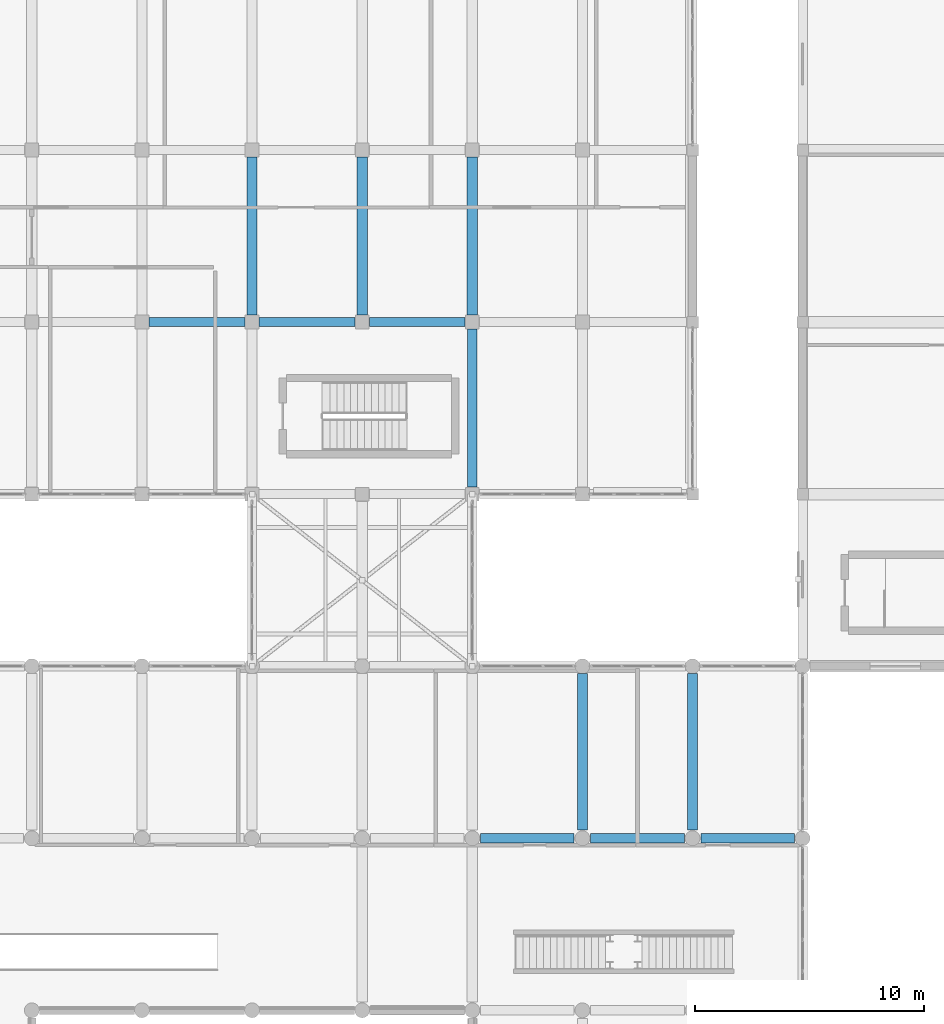
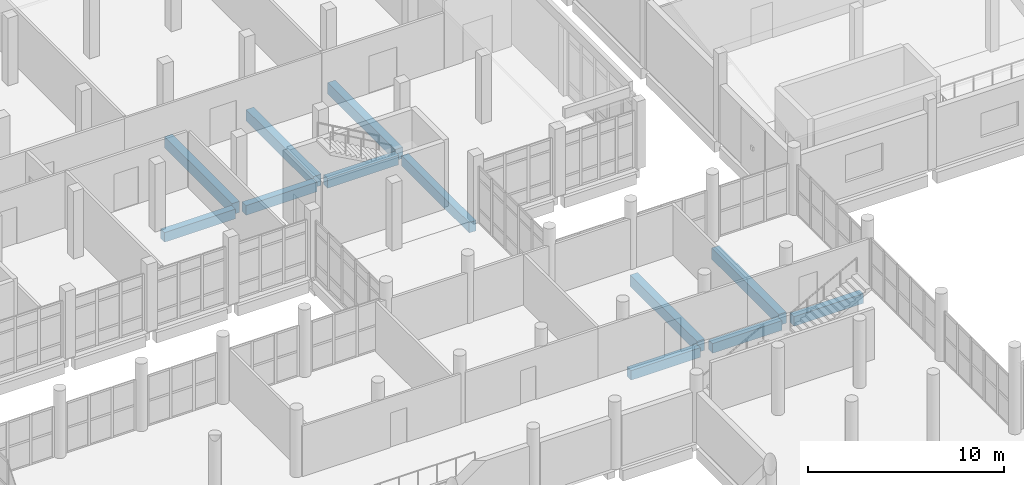
# One storey, part 92 of 164: 12 beams.
"""IFC4 building model written with IfcOpenShell, lengths in metres."""

from ifc_helpers import new_model, si_unit, direction, frame, origin, origin_2d, place, context, subcontext, project, spatial, rectangle, extrude, material, material_profile, profile_set, type_object, element, save


model = new_model("IFC4")

# Units and contexts
model_context = context("Model", 3, precision=1e-05, world=origin(), true_north=direction((0.0, 1.0)))
body_context = subcontext(model_context, "Body", "Model", "MODEL_VIEW")
ifc_project = project(units=[si_unit("LENGTHUNIT", "METRE"), si_unit("AREAUNIT", "SQUARE_METRE"), si_unit("VOLUMEUNIT", "CUBIC_METRE"), si_unit("PLANEANGLEUNIT", "RADIAN"), si_unit("MASSUNIT", "GRAM", prefix="KILO")], contexts=[model_context])

# Site, building, storey
site_placement = place(None, origin())
site = spatial("IfcSite", under=ifc_project, at=site_placement, CompositionType="ELEMENT")
building_placement = place(site_placement, origin())
building = spatial("IfcBuilding", under=site, at=building_placement, Name="Mawjan Specialist Oncology Clinic", CompositionType="ELEMENT")
storey_placement = place(building_placement, frame((0.0, 0.0, 5.0)))
storey = spatial("IfcBuildingStorey", under=building, at=storey_placement, Name="L01", CompositionType="ELEMENT", Elevation=5.0)

# Beams
ifc_material_1 = material(Name="Concrete C40/50", Category="concrete")
ifc_material_profile_1 = material_profile(ifc_material_1, rectangle(XDim=0.39990234375, YDim=0.60009765625, at=origin_2d()), Name="RC BM 400x600", Category="concrete")
ifc_profile_set_1 = profile_set([ifc_material_profile_1], Name="Concrete C40/50")
beam_type_1 = type_object("IfcBeamType", Name="BM-400x600", PredefinedType="BEAM", material=ifc_profile_set_1)
for number, where, z_axis, x_axis, name in (
    (1, (93.9599609375, 68.300048828125, -0.60009765625), (1.0, 0.0, 0.0), (0.0, 1.0, 0.0), "L01 Collector Beam BM-L01-0316"),
    (2, (98.760009765625, 68.300048828125, -0.60009765625), (1.0, 0.0, 0.0), (0.0, 1.0, 0.0), "L01 Collector Beam BM-L01-0317"),
):
    element("IfcBeam", number, at=place(storey_placement, frame(where, z_axis=z_axis, x_axis=x_axis)), inside=storey, type_object=beam_type_1, Name=name, PredefinedType="BEAM", context=body_context, shape_type="SweptSolid", body=[
        extrude(rectangle(XDim=0.39990234375, YDim=0.60009765625, at=origin_2d()), origin(), (0.0, 0.0, 1.0), 4.080078125),
    ])
beam_1_placement = place(storey_placement, frame((103.56005859375, 68.300048828125, -0.60009765625), z_axis=(1.0, 0.0, 0.0), x_axis=(0.0, 1.0, 0.0)))
element("IfcBeam", 3, at=beam_1_placement, inside=storey, type_object=beam_type_1, Name="L01 Collector Beam BM-L01-0318", PredefinedType="BEAM", context=body_context, shape_type="SweptSolid", body=[
    extrude(rectangle(XDim=0.39990234375, YDim=0.60009765625, at=origin_2d()), origin(), (0.0, 0.0, 1.0), 4.079833984375),
])
for number, where, z_axis, x_axis, name in (
    (4, (79.510009765625, 90.800048828125, -0.60009765625), (1.0, 0.0, 0.0), (0.0, 1.0, 0.0), "L01 Collector Beam BM-L01-0364"),
    (5, (84.31005859375, 90.800048828125, -0.60009765625), (1.0, 0.0, 0.0), (0.0, 1.0, 0.0), "L01 Collector Beam BM-L01-0365"),
    (6, (89.110107421875, 90.800048828125, -0.60009765625), (1.0, 0.0, 0.0), (0.0, 1.0, 0.0), "L01 Collector Beam BM-L01-0366"),
):
    element("IfcBeam", number, at=place(storey_placement, frame(where, z_axis=z_axis, x_axis=x_axis)), inside=storey, type_object=beam_type_1, Name=name, PredefinedType="BEAM", context=body_context, shape_type="SweptSolid", body=[
        extrude(rectangle(XDim=0.39990234375, YDim=0.60009765625, at=origin_2d()), origin(), (0.0, 0.0, 1.0), 4.179931640625),
    ])
ifc_material_2 = material(Name="Concrete C40/50", Category="concrete")
ifc_material_profile_2 = material_profile(ifc_material_2, rectangle(XDim=0.449951171875, YDim=0.699951171875, at=origin_2d()), Name="RC BM 450x700", Category="concrete")
ifc_profile_set_2 = profile_set([ifc_material_profile_2], Name="Concrete C40/50")
beam_type_2 = type_object("IfcBeamType", Name="BM-450x700", PredefinedType="BEAM", material=ifc_profile_set_2)
for number, where, z_axis, x_axis, name in (
    (7, (84.0, 91.110107421875, -0.64990234375), (0.0, 1.0, 0.0), (-1.0, 0.0, 0.0), "L01 Collector Beam BM-L01-0524"),
    (8, (88.800048828125, 91.110107421875, -0.64990234375), (0.0, 1.0, 0.0), (-1.0, 0.0, 0.0), "L01 Collector Beam BM-L01-0531"),
    (9, (93.60009765625, 91.110107421875, -0.64990234375), (0.0, 1.0, 0.0), (-1.0, 0.0, 0.0), "L01 Collector Beam BM-L01-0540"),
):
    element("IfcBeam", number, at=place(storey_placement, frame(where, z_axis=z_axis, x_axis=x_axis)), inside=storey, type_object=beam_type_2, Name=name, PredefinedType="BEAM", context=body_context, shape_type="SweptSolid", body=[
        extrude(rectangle(XDim=0.449951171875, YDim=0.699951171875, at=origin_2d()), origin(), (0.0, 0.0, 1.0), 6.8798828125),
    ])
for number, where, z_axis, x_axis, name in (
    (10, (98.39990234375, 68.659912109375, -0.64990234375), (0.0, 1.0, 0.0), (-1.0, 0.0, 0.0), "L01 Collector Beam BM-L01-0545"),
    (11, (103.199951171875, 68.659912109375, -0.64990234375), (0.0, 1.0, 0.0), (-1.0, 0.0, 0.0), "L01 Collector Beam BM-L01-0552"),
):
    element("IfcBeam", number, at=place(storey_placement, frame(where, z_axis=z_axis, x_axis=x_axis)), inside=storey, type_object=beam_type_2, Name=name, PredefinedType="BEAM", context=body_context, shape_type="SweptSolid", body=[
        extrude(rectangle(XDim=0.449951171875, YDim=0.699951171875, at=origin_2d()), origin(), (0.0, 0.0, 1.0), 6.830078125),
    ])
ifc_material_3 = material(Name="Concrete C45/55", Category="concrete")
ifc_material_profile_3 = material_profile(ifc_material_3, rectangle(XDim=0.39990234375, YDim=0.64990234375, at=origin_2d()), Name="RC BM 400x650", Category="concrete")
ifc_profile_set_3 = profile_set([ifc_material_profile_3], Name="Concrete C45/55")
beam_type_3 = type_object("IfcBeamType", Name="SP-400x650", PredefinedType="SPANDREL", material=ifc_profile_set_3)
beam_2_placement = place(storey_placement, frame((93.60009765625, 83.610107421875, -0.625), z_axis=(0.0, 1.0, 0.0), x_axis=(-1.0, 0.0, 0.0)))
element("IfcBeam", 12, at=beam_2_placement, inside=storey, type_object=beam_type_3, Name="L01 Spandrel Beam BM-L01-0539", PredefinedType="SPANDREL", context=body_context, shape_type="SweptSolid", body=[
    extrude(rectangle(XDim=0.39990234375, YDim=0.64990234375, at=origin_2d()), origin(), (0.0, 0.0, 1.0), 6.8798828125),
])

save(model, "model.ifc")
